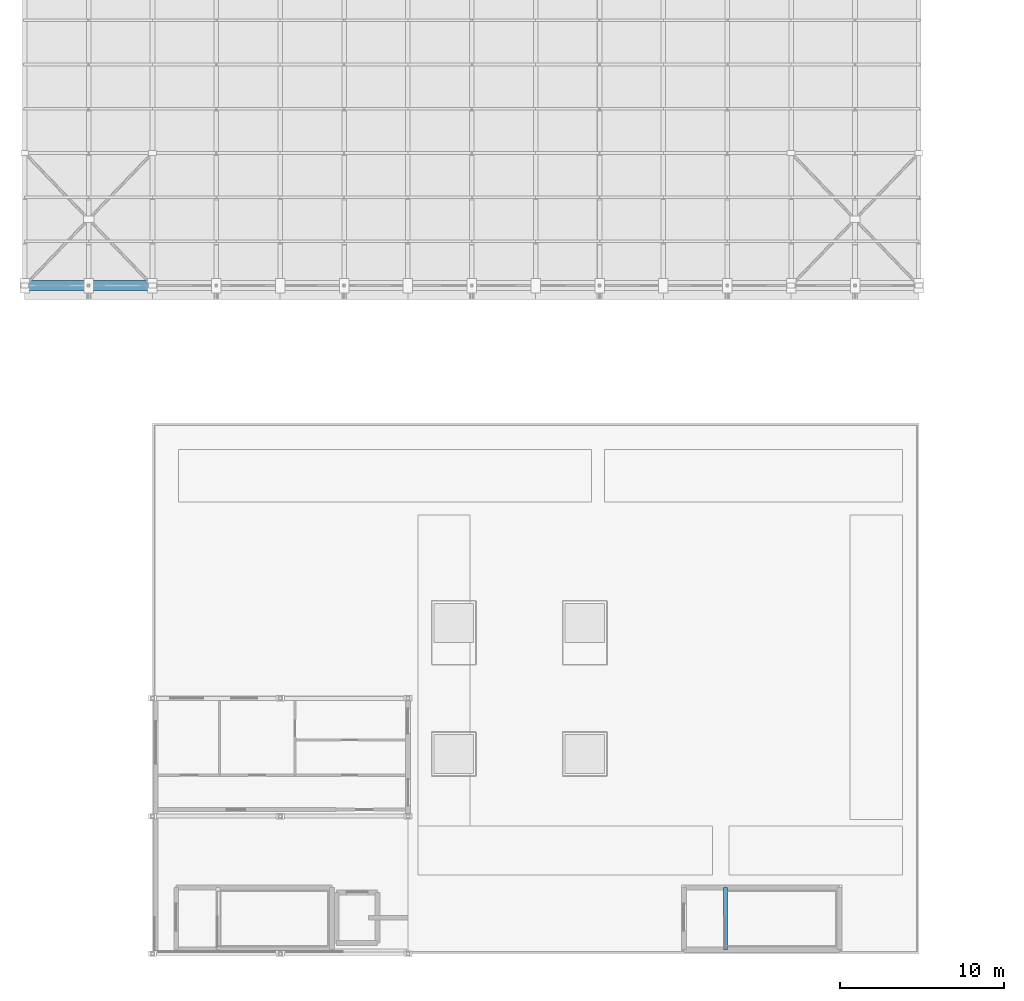
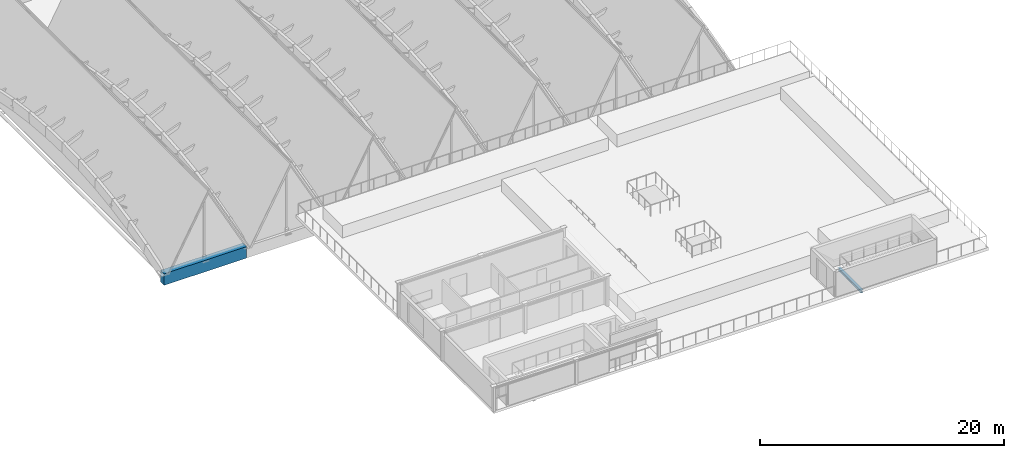
# One storey, part 2 of 39: 2 beams.
"""IFC4 building model written with IfcOpenShell, lengths in metres."""

from ifc_helpers import new_model, si_unit, direction, frame, origin, origin_2d, place, context, subcontext, project, spatial, rectangle, i_section, extrude, material, material_profile, profile_set, type_object, element, save


model = new_model("IFC4")

# Units and contexts
model_context = context("Model", 3, precision=1e-05, world=origin(), true_north=direction((0.0, 1.0)))
body_context = subcontext(model_context, "Body", "Model", "MODEL_VIEW")
ifc_project = project(units=[si_unit("LENGTHUNIT", "METRE"), si_unit("AREAUNIT", "SQUARE_METRE"), si_unit("VOLUMEUNIT", "CUBIC_METRE"), si_unit("PLANEANGLEUNIT", "RADIAN"), si_unit("MASSUNIT", "GRAM", prefix="KILO")], contexts=[model_context])

# Site, building, storey
site_placement = place(None, origin())
site = spatial("IfcSite", under=ifc_project, at=site_placement, CompositionType="ELEMENT")
building_placement = place(site_placement, origin())
building = spatial("IfcBuilding", under=site, at=building_placement, Name="Tizgana Railside Sports Hall", CompositionType="ELEMENT")
storey_placement = place(building_placement, frame((0.0, 0.0, 23.699951171875)))
storey = spatial("IfcBuildingStorey", under=building, at=storey_placement, Name="RF", CompositionType="ELEMENT", Elevation=23.699951171875)

# Beams
ifc_material_1 = material(Name="Concrete C40/50", Category="concrete")
ifc_material_profile_1 = material_profile(ifc_material_1, rectangle(XDim=0.60009765625, YDim=1.14990234375, at=origin_2d()), Name="RCB 600x1150")
ifc_profile_set_1 = profile_set([ifc_material_profile_1], Name="Concrete C40/50")
beam_type_1 = type_object("IfcBeamType", Name="Concrete Beam RCB 600x1150", PredefinedType="BEAM", material=ifc_profile_set_1)
beam_1_placement = place(storey_placement, frame((0.0, 40.800048828125, -8.675048828125), z_axis=(1.0, 0.0, 0.0), x_axis=(0.0, 1.0, 0.0)))
element("IfcBeam", 1, at=beam_1_placement, inside=storey, type_object=beam_type_1, Name="RF BEM-1211", PredefinedType="BEAM", context=body_context, shape_type="SweptSolid", body=[
    extrude(rectangle(XDim=0.60009765625, YDim=1.14990234375, at=origin_2d()), origin(), (0.0, 0.0, 1.0), 7.800048828125),
])
ifc_material_2 = material(Name="Steel S355J2", Category="steel")
ifc_material_profile_2 = material_profile(ifc_material_2, i_section(OverallWidth=0.239990234375, OverallDepth=0.239990234375, WebThickness=0.010009765625, FlangeThickness=0.01708984375, FilletRadius=0.02099609375, at=origin_2d()), Name="HEB 240")
ifc_profile_set_2 = profile_set([ifc_material_profile_2], Name="Steel S355J2")
beam_type_2 = type_object("IfcBeamType", Name="Steel Beam HEB 240", PredefinedType="BEAM", material=ifc_profile_set_2)
beam_2_placement = place(storey_placement, frame((42.800048828125, 0.25, -0.426025390625), z_axis=(0.0, 1.0, 0.0), x_axis=(-1.0, 0.0, 0.0)))
element("IfcBeam", 2, at=beam_2_placement, inside=storey, type_object=beam_type_2, Name="RF C2 Landing Header", PredefinedType="BEAM", context=body_context, shape_type="SweptSolid", body=[
    extrude(i_section(OverallWidth=0.239990234375, OverallDepth=0.239990234375, WebThickness=0.010009765625, FlangeThickness=0.01708984375, FilletRadius=0.02099609375, at=origin_2d()), origin(), (0.0, 0.0, 1.0), 3.800048828125),
])

save(model, "model.ifc")
